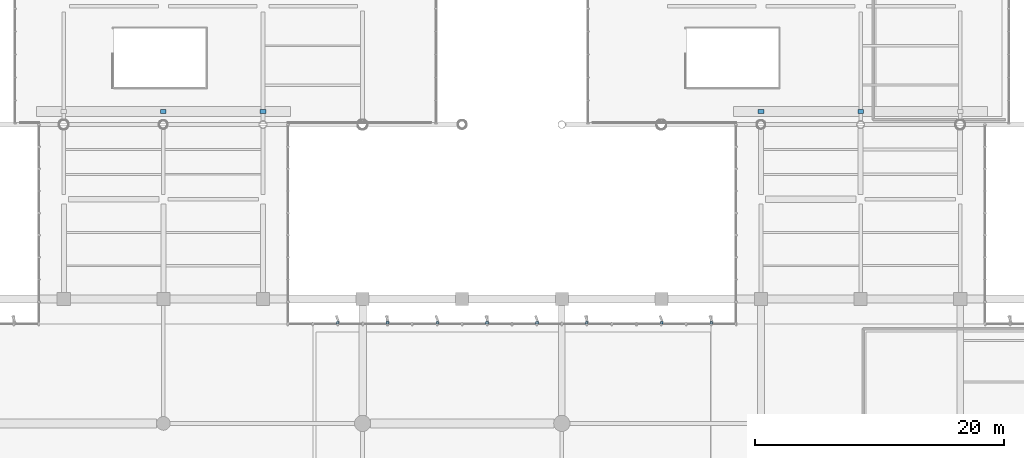
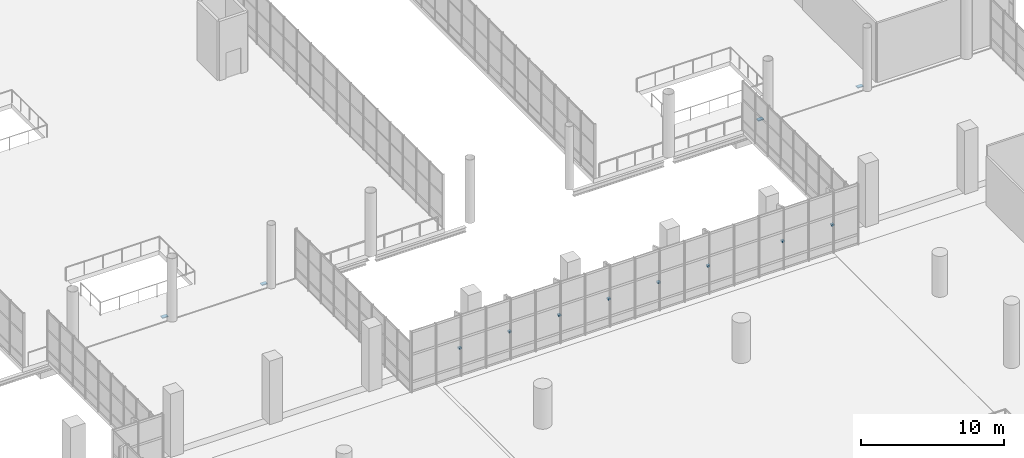
# One storey, part 154 of 176: 12 discrete accessories.
"""IFC4 building model written with IfcOpenShell, lengths in metres."""

import ifcopenshell
import ifcopenshell.guid

model = None  # the IFC model being written
_history = None  # IfcOwnerHistory: only IFC2X3 demands one
_inside = {}  # id of a spatial element -> (the spatial element, [elements in it])
_under = {}  # id of a project, library or spatial element -> (it, [spatial elements below it])
_declared = {}  # id of a project -> (the project, [libraries it declares])
_typed = {}  # id of a type object -> (the type object, [elements of that type])
_made_of = {}  # id of a material, layer set ... -> (it, [elements and type objects made of it])


def new_model(schema):
    """Start an empty IFC model of exactly this schema.

    Asked for "IFC4X3", IfcOpenShell would pick the latest addendum, in which some entities
    have other attributes; the version numbers below select the first issue.
    IFC2X3 requires an IfcOwnerHistory on every rooted entity: one is made here for all.
    """
    global model, _history
    if schema == "IFC4X3":
        model = ifcopenshell.file(schema_version=(4, 3, 0, 0))
    else:
        model = ifcopenshell.file(schema=schema)
    _inside.clear()
    _under.clear()
    _declared.clear()
    _typed.clear()
    _made_of.clear()
    _history = None
    if model.schema == "IFC2X3":
        org = make("IfcOrganization", Name="unknown")
        user = make(
            "IfcPersonAndOrganization",
            ThePerson=make("IfcPerson", FamilyName="unknown"),
            TheOrganization=org,
        )
        app = make(
            "IfcApplication",
            ApplicationDeveloper=org,
            Version="unknown",
            ApplicationFullName="unknown",
            ApplicationIdentifier="unknown",
        )
        _history = make(
            "IfcOwnerHistory",
            OwningUser=user,
            OwningApplication=app,
            ChangeAction="ADDED",
            CreationDate=0,
        )
    return model


def make(cls, **values):
    """One entity of the class cls with the attributes given. An attribute that is None is left unset."""
    return model.create_entity(
        cls, **{name: value for name, value in values.items() if value is not None}
    )


def rooted(cls, **values):
    """An entity with a GlobalId (a new one), such as an element, a storey or a relation."""
    return make(cls, GlobalId=ifcopenshell.guid.new(), OwnerHistory=_history, **values)


def si_unit(unit_type, name, prefix=None):
    """IfcSIUnit, for example si_unit("LENGTHUNIT", "METRE", prefix="MILLI")."""
    return make("IfcSIUnit", UnitType=unit_type, Prefix=prefix, Name=name)


def assignment(units):
    """IfcUnitAssignment: the units of a project."""
    return None if units is None else make("IfcUnitAssignment", Units=units)


def point(xyz):
    """IfcCartesianPoint."""
    return None if xyz is None else make("IfcCartesianPoint", Coordinates=xyz)


def direction(xyz):
    """IfcDirection."""
    return None if xyz is None else make("IfcDirection", DirectionRatios=xyz)


def frame(location, z_axis=None, x_axis=None):
    """IfcAxis2Placement3D, a coordinate frame: its origin and axes. An axis left out is left unset."""
    return make(
        "IfcAxis2Placement3D",
        Location=point(location),
        Axis=direction(z_axis),
        RefDirection=direction(x_axis),
    )


def frame_2d(location, x_axis=None):
    """IfcAxis2Placement2D, a coordinate frame in the plane: its origin and x axis."""
    return make(
        "IfcAxis2Placement2D", Location=point(location), RefDirection=direction(x_axis)
    )


def origin():
    """The frame at (0, 0, 0) with its axes left unset."""
    return frame((0.0, 0.0, 0.0))


def origin_2d():
    """The frame at (0, 0) in the plane with its x axis left unset."""
    return frame_2d((0.0, 0.0))


def place(relative_to, where):
    """IfcLocalPlacement: puts the frame where relative to a parent placement (None: the world)."""
    return make(
        "IfcLocalPlacement", PlacementRelTo=relative_to, RelativePlacement=where
    )


def context(
    kind, dimensions, precision=None, world=None, true_north=None, identifier=None
):
    """IfcGeometricRepresentationContext, for example the 3D "Model" context."""
    return make(
        "IfcGeometricRepresentationContext",
        ContextIdentifier=identifier,
        ContextType=kind,
        CoordinateSpaceDimension=dimensions,
        Precision=precision,
        WorldCoordinateSystem=world,
        TrueNorth=true_north,
    )


def subcontext(parent, identifier, kind, view, scale=None):
    """IfcGeometricRepresentationSubContext, for example "Body" below "Model"."""
    return make(
        "IfcGeometricRepresentationSubContext",
        ContextIdentifier=identifier,
        ContextType=kind,
        ParentContext=parent,
        TargetScale=scale,
        TargetView=view,
    )


def project(units=None, contexts=None):
    """IfcProject with its units and contexts."""
    return rooted(
        "IfcProject",
        Name="project",
        RepresentationContexts=contexts,
        UnitsInContext=assignment(units),
    )


def spatial(cls, under=None, at=None, **own):
    """A site, building, storey or space (cls), placed at a placement, below another one or the project."""
    s = rooted(cls, ObjectPlacement=at, **own)
    if under is not None:
        _under.setdefault(under.id(), (under, []))[1].append(s)
    return s


def profile(cls, at=None, kind="AREA", **sizes):
    """A parametric profile (cls). Its sizes go by their IFC names, for example OverallWidth=200.0."""
    return make(cls, ProfileType=kind, Position=at, **sizes)


def rectangle(**sizes):
    """IfcRectangleProfileDef."""
    return profile("IfcRectangleProfileDef", **sizes)


def extrude(swept, where, along, depth):
    """IfcExtrudedAreaSolid: the profile swept, set in the frame where, extruded along a direction by depth."""
    return make(
        "IfcExtrudedAreaSolid",
        SweptArea=swept,
        Position=where,
        ExtrudedDirection=direction(along),
        Depth=depth,
    )


def shape(context_of_items, identifier, shape_type, items):
    """IfcShapeRepresentation: the items that make up one representation, for example the "Body"."""
    return make(
        "IfcShapeRepresentation",
        ContextOfItems=context_of_items,
        RepresentationIdentifier=identifier,
        RepresentationType=shape_type,
        Items=items,
    )


def material(Name=None, Category=None):
    """IfcMaterial."""
    return make("IfcMaterial", Name=Name, Category=Category)


def made_of(thing, what):
    """Note that an element or type object is made of a material, layer set ...; save() writes the relation."""
    if what is not None:
        _made_of.setdefault(what.id(), (what, []))[1].append(thing)
    return thing


def type_object(cls, material=None, **own):
    """A type object (cls), such as IfcWallType, which elements share."""
    return made_of(rooted(cls, **own), material)


def element(
    cls,
    number,
    at=None,
    inside=None,
    cuts=None,
    type_object=None,
    material=None,
    context=None,
    identifier="Body",
    shape_type=None,
    held_by="IfcProductDefinitionShape",
    body=None,
    shapes=None,
    **own,
):
    """One element of the class cls, such as IfcWall. Its Tag is "e" and its number.

    at: its placement. inside: the storey or other place that contains it. cuts: it is an
    opening in that element (IfcRelVoidsElement). A single representation is given by context,
    identifier, shape_type and body (its items); several are given by shapes. held_by: the class
    of the entity that holds the representations. save() writes the other relations.
    """
    e = rooted(cls, Tag="e%d" % number, ObjectPlacement=at, **own)
    if body is not None:
        shapes = [shape(context, identifier, shape_type, body)]
    if shapes is not None:
        e.Representation = make(held_by, Representations=shapes)
    if inside is not None:
        _inside.setdefault(inside.id(), (inside, []))[1].append(e)
    if cuts is not None:
        rooted(
            "IfcRelVoidsElement", RelatingBuildingElement=cuts, RelatedOpeningElement=e
        )
    if type_object is not None:
        _typed.setdefault(type_object.id(), (type_object, []))[1].append(e)
    return made_of(e, material)


def aggregate(whole, parts):
    """IfcRelAggregates: a whole, such as a stair, and the parts it consists of."""
    return rooted("IfcRelAggregates", RelatingObject=whole, RelatedObjects=parts)


def save(model, path):
    """Write the relations noted so far, then the file.

    IfcRelAggregates (storeys below a building ...), IfcRelContainedInSpatialStructure (elements
    in a storey), IfcRelDefinesByType, IfcRelAssociatesMaterial and IfcRelDeclares: one each for
    every whole, place, type object, material and project.
    """
    for whole, parts in _under.values():
        aggregate(whole, parts)
    for where, things in _inside.values():
        rooted(
            "IfcRelContainedInSpatialStructure",
            RelatedElements=things,
            RelatingStructure=where,
        )
    for kind, things in _typed.values():
        rooted("IfcRelDefinesByType", RelatedObjects=things, RelatingType=kind)
    for what, things in _made_of.values():
        rooted("IfcRelAssociatesMaterial", RelatedObjects=things, RelatingMaterial=what)
    for by, libraries in _declared.values():
        rooted("IfcRelDeclares", RelatingContext=by, RelatedDefinitions=libraries)
    model.write(path)


model = new_model("IFC4")

# Units and contexts
model_context = context("Model", 3, precision=1e-05, world=origin(), true_north=direction((0.0, 1.0)))
body_context = subcontext(model_context, "Body", "Model", "MODEL_VIEW")
ifc_project = project(units=[si_unit("LENGTHUNIT", "METRE"), si_unit("AREAUNIT", "SQUARE_METRE"), si_unit("VOLUMEUNIT", "CUBIC_METRE"), si_unit("PLANEANGLEUNIT", "RADIAN"), si_unit("MASSUNIT", "GRAM", prefix="KILO")], contexts=[model_context])

# Site, building, storey
site_placement = place(None, origin())
site = spatial("IfcSite", under=ifc_project, at=site_placement, CompositionType="ELEMENT")
building_placement = place(site_placement, origin())
building = spatial("IfcBuilding", under=site, at=building_placement, Name="Khorjan Park Terminus", CompositionType="ELEMENT")
storey_placement = place(building_placement, frame((0.0, 0.0, 6.0)))
storey = spatial("IfcBuildingStorey", under=building, at=storey_placement, Name="L01", CompositionType="ELEMENT", Elevation=6.0)

# Discrete accessories
ifc_material = material(Name="Steel S355", Category="steel")
discrete_accessory_type_1 = type_object("IfcDiscreteAccessoryType", Name="ACC-BRK-FIN", PredefinedType="BRACKET", material=ifc_material)
for number, where, z_axis, x_axis, name in (
    (1, (82.0, 86.09, 2.2475), (0.0, 0.0, 1.0), (-1.0, 0.0, 0.0), "Solar fin structural bracket BK-01 (CW-V2-N-L01-03-1)"),
    (2, (78.0, 86.09, 2.2475), (0.0, 0.0, 1.0), (-1.0, 0.0, 0.0), "Solar fin structural bracket BK-01 (CW-V2-N-L01-03-3)"),
    (3, (90.0, 86.09, 2.2475), (0.0, 0.0, 1.0), (-1.0, 0.0, 0.0), "Solar fin structural bracket BK-01 (CW-V2-N-L01-04-1)"),
    (4, (86.0, 86.09, 2.2475), (0.0, 0.0, 1.0), (-1.0, 0.0, 0.0), "Solar fin structural bracket BK-01 (CW-V2-N-L01-04-3)"),
    (5, (98.0, 86.09, 2.2475), (0.0, 0.0, 1.0), (-1.0, 0.0, 0.0), "Solar fin structural bracket BK-01 (CW-V2-N-L01-05-1)"),
    (6, (94.0, 86.09, 2.2475), (0.0, 0.0, 1.0), (-1.0, 0.0, 0.0), "Solar fin structural bracket BK-01 (CW-V2-N-L01-05-3)"),
    (7, (108.0, 86.09, 2.2475), (0.0, 0.0, 1.0), (-1.0, 0.0, 0.0), "Solar fin structural bracket BK-01 (CW-V2-N-L01-06-1)"),
    (8, (104.0, 86.09, 2.2475), (0.0, 0.0, 1.0), (-1.0, 0.0, 0.0), "Solar fin structural bracket BK-01 (CW-V2-N-L01-06-3)"),
):
    element("IfcDiscreteAccessory", number, at=place(storey_placement, frame(where, z_axis=z_axis, x_axis=x_axis)), inside=storey, type_object=discrete_accessory_type_1, Name=name, PredefinedType="BRACKET", context=body_context, shape_type="SweptSolid", body=[
        extrude(rectangle(XDim=0.22, YDim=0.22, at=origin_2d()), origin(), (0.0, 0.0, 1.0), 0.14),
    ])
discrete_accessory_type_2 = type_object("IfcDiscreteAccessoryType", Name="ACC-SHOE-PTFE", PredefinedType="SHOE", material=ifc_material)
for number, where, z_axis, x_axis, name in (
    (9, (64.0, 103.06, -0.44), (0.0, 0.0, 1.0), (1.0, 0.0, 0.0), "Bridge movement-joint PTFE elastomeric sliding bearing BRG-01 (2)"),
    (10, (72.0, 103.06, -0.44), (0.0, 0.0, 1.0), (1.0, 0.0, 0.0), "Bridge movement-joint PTFE elastomeric sliding bearing BRG-01 (3)"),
    (11, (112.0, 103.06, -0.44), (0.0, 0.0, 1.0), (1.0, 0.0, 0.0), "Bridge movement-joint PTFE elastomeric sliding bearing BRG-01 (4)"),
    (12, (120.0, 103.06, -0.44), (0.0, 0.0, 1.0), (1.0, 0.0, 0.0), "Bridge movement-joint PTFE elastomeric sliding bearing BRG-01 (5)"),
):
    element("IfcDiscreteAccessory", number, at=place(storey_placement, frame(where, z_axis=z_axis, x_axis=x_axis)), inside=storey, type_object=discrete_accessory_type_2, Name=name, PredefinedType="SHOE", context=body_context, shape_type="SweptSolid", body=[
        extrude(rectangle(XDim=0.45, YDim=0.3, at=origin_2d()), origin(), (0.0, 0.0, 1.0), 0.08),
    ])

save(model, "model.ifc")
